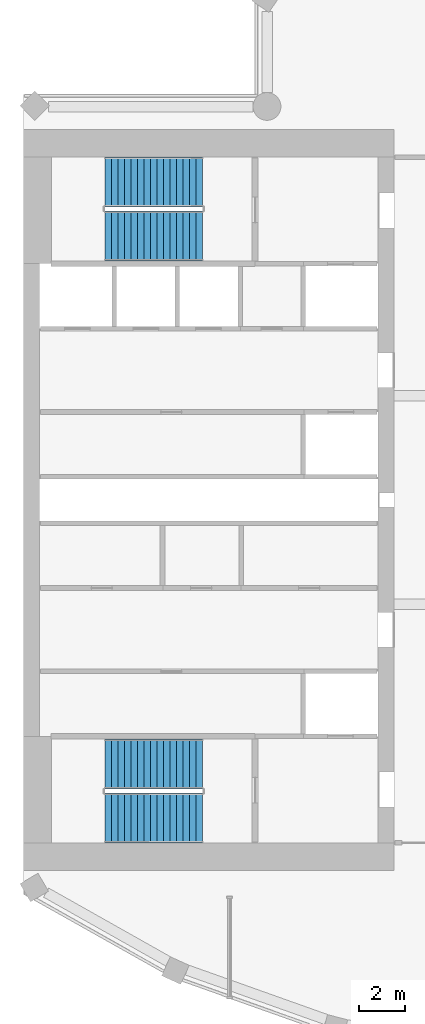
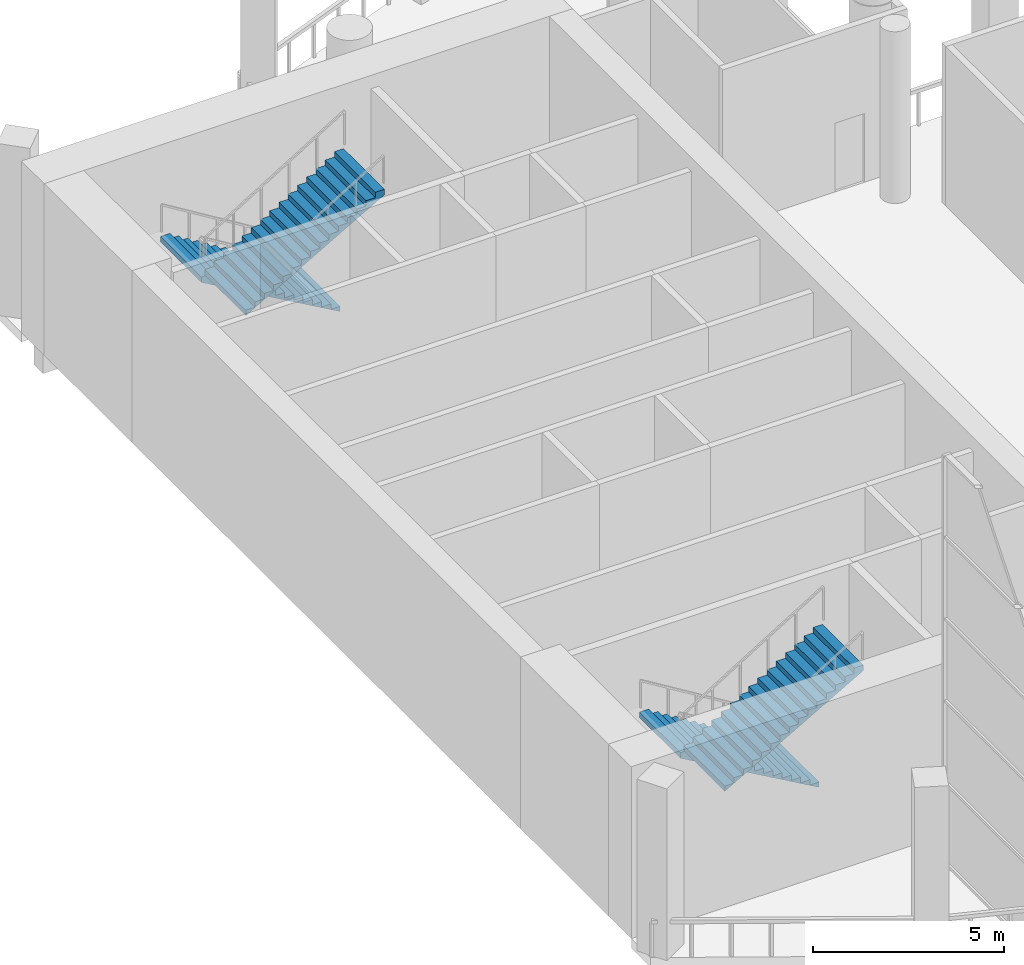
# One storey, part 7 of 12: 4 stair flights, 2 elements without a shape of their own.
"""IFC4 building model written with IfcOpenShell, lengths in metres."""

import ifcopenshell
import ifcopenshell.guid

model = None  # the IFC model being written
_history = None  # IfcOwnerHistory: only IFC2X3 demands one
_inside = {}  # id of a spatial element -> (the spatial element, [elements in it])
_under = {}  # id of a project, library or spatial element -> (it, [spatial elements below it])
_declared = {}  # id of a project -> (the project, [libraries it declares])
_typed = {}  # id of a type object -> (the type object, [elements of that type])
_made_of = {}  # id of a material, layer set ... -> (it, [elements and type objects made of it])


def new_model(schema):
    """Start an empty IFC model of exactly this schema.

    Asked for "IFC4X3", IfcOpenShell would pick the latest addendum, in which some entities
    have other attributes; the version numbers below select the first issue.
    IFC2X3 requires an IfcOwnerHistory on every rooted entity: one is made here for all.
    """
    global model, _history
    if schema == "IFC4X3":
        model = ifcopenshell.file(schema_version=(4, 3, 0, 0))
    else:
        model = ifcopenshell.file(schema=schema)
    _inside.clear()
    _under.clear()
    _declared.clear()
    _typed.clear()
    _made_of.clear()
    _history = None
    if model.schema == "IFC2X3":
        org = make("IfcOrganization", Name="unknown")
        user = make(
            "IfcPersonAndOrganization",
            ThePerson=make("IfcPerson", FamilyName="unknown"),
            TheOrganization=org,
        )
        app = make(
            "IfcApplication",
            ApplicationDeveloper=org,
            Version="unknown",
            ApplicationFullName="unknown",
            ApplicationIdentifier="unknown",
        )
        _history = make(
            "IfcOwnerHistory",
            OwningUser=user,
            OwningApplication=app,
            ChangeAction="ADDED",
            CreationDate=0,
        )
    return model


def make(cls, **values):
    """One entity of the class cls with the attributes given. An attribute that is None is left unset."""
    return model.create_entity(
        cls, **{name: value for name, value in values.items() if value is not None}
    )


def rooted(cls, **values):
    """An entity with a GlobalId (a new one), such as an element, a storey or a relation."""
    return make(cls, GlobalId=ifcopenshell.guid.new(), OwnerHistory=_history, **values)


def si_unit(unit_type, name, prefix=None):
    """IfcSIUnit, for example si_unit("LENGTHUNIT", "METRE", prefix="MILLI")."""
    return make("IfcSIUnit", UnitType=unit_type, Prefix=prefix, Name=name)


def assignment(units):
    """IfcUnitAssignment: the units of a project."""
    return None if units is None else make("IfcUnitAssignment", Units=units)


def point(xyz):
    """IfcCartesianPoint."""
    return None if xyz is None else make("IfcCartesianPoint", Coordinates=xyz)


def direction(xyz):
    """IfcDirection."""
    return None if xyz is None else make("IfcDirection", DirectionRatios=xyz)


def frame(location, z_axis=None, x_axis=None):
    """IfcAxis2Placement3D, a coordinate frame: its origin and axes. An axis left out is left unset."""
    return make(
        "IfcAxis2Placement3D",
        Location=point(location),
        Axis=direction(z_axis),
        RefDirection=direction(x_axis),
    )


def origin():
    """The frame at (0, 0, 0) with its axes left unset."""
    return frame((0.0, 0.0, 0.0))


def place(relative_to, where):
    """IfcLocalPlacement: puts the frame where relative to a parent placement (None: the world)."""
    return make(
        "IfcLocalPlacement", PlacementRelTo=relative_to, RelativePlacement=where
    )


def context(
    kind, dimensions, precision=None, world=None, true_north=None, identifier=None
):
    """IfcGeometricRepresentationContext, for example the 3D "Model" context."""
    return make(
        "IfcGeometricRepresentationContext",
        ContextIdentifier=identifier,
        ContextType=kind,
        CoordinateSpaceDimension=dimensions,
        Precision=precision,
        WorldCoordinateSystem=world,
        TrueNorth=true_north,
    )


def subcontext(parent, identifier, kind, view, scale=None):
    """IfcGeometricRepresentationSubContext, for example "Body" below "Model"."""
    return make(
        "IfcGeometricRepresentationSubContext",
        ContextIdentifier=identifier,
        ContextType=kind,
        ParentContext=parent,
        TargetScale=scale,
        TargetView=view,
    )


def project(units=None, contexts=None):
    """IfcProject with its units and contexts."""
    return rooted(
        "IfcProject",
        Name="project",
        RepresentationContexts=contexts,
        UnitsInContext=assignment(units),
    )


def spatial(cls, under=None, at=None, **own):
    """A site, building, storey or space (cls), placed at a placement, below another one or the project."""
    s = rooted(cls, ObjectPlacement=at, **own)
    if under is not None:
        _under.setdefault(under.id(), (under, []))[1].append(s)
    return s


def point_list(points):
    """IfcCartesianPointList2D or 3D."""
    cls = (
        "IfcCartesianPointList2D" if len(points[0]) == 2 else "IfcCartesianPointList3D"
    )
    return make(cls, CoordList=points)


def triangles(points, corners, closed=None, point_numbers=None):
    """IfcTriangulatedFaceSet: each triangle names its three corners, points numbered from 1."""
    return make(
        "IfcTriangulatedFaceSet",
        Coordinates=point_list(points),
        Closed=closed,
        CoordIndex=corners,
        PnIndex=point_numbers,
    )


def shape(context_of_items, identifier, shape_type, items):
    """IfcShapeRepresentation: the items that make up one representation, for example the "Body"."""
    return make(
        "IfcShapeRepresentation",
        ContextOfItems=context_of_items,
        RepresentationIdentifier=identifier,
        RepresentationType=shape_type,
        Items=items,
    )


def material(Name=None, Category=None):
    """IfcMaterial."""
    return make("IfcMaterial", Name=Name, Category=Category)


def made_of(thing, what):
    """Note that an element or type object is made of a material, layer set ...; save() writes the relation."""
    if what is not None:
        _made_of.setdefault(what.id(), (what, []))[1].append(thing)
    return thing


def type_object(cls, material=None, **own):
    """A type object (cls), such as IfcWallType, which elements share."""
    return made_of(rooted(cls, **own), material)


def element(
    cls,
    number,
    at=None,
    inside=None,
    cuts=None,
    type_object=None,
    material=None,
    context=None,
    identifier="Body",
    shape_type=None,
    held_by="IfcProductDefinitionShape",
    body=None,
    shapes=None,
    **own,
):
    """One element of the class cls, such as IfcWall. Its Tag is "e" and its number.

    at: its placement. inside: the storey or other place that contains it. cuts: it is an
    opening in that element (IfcRelVoidsElement). A single representation is given by context,
    identifier, shape_type and body (its items); several are given by shapes. held_by: the class
    of the entity that holds the representations. save() writes the other relations.
    """
    e = rooted(cls, Tag="e%d" % number, ObjectPlacement=at, **own)
    if body is not None:
        shapes = [shape(context, identifier, shape_type, body)]
    if shapes is not None:
        e.Representation = make(held_by, Representations=shapes)
    if inside is not None:
        _inside.setdefault(inside.id(), (inside, []))[1].append(e)
    if cuts is not None:
        rooted(
            "IfcRelVoidsElement", RelatingBuildingElement=cuts, RelatedOpeningElement=e
        )
    if type_object is not None:
        _typed.setdefault(type_object.id(), (type_object, []))[1].append(e)
    return made_of(e, material)


def aggregate(whole, parts):
    """IfcRelAggregates: a whole, such as a stair, and the parts it consists of."""
    return rooted("IfcRelAggregates", RelatingObject=whole, RelatedObjects=parts)


def save(model, path):
    """Write the relations noted so far, then the file.

    IfcRelAggregates (storeys below a building ...), IfcRelContainedInSpatialStructure (elements
    in a storey), IfcRelDefinesByType, IfcRelAssociatesMaterial and IfcRelDeclares: one each for
    every whole, place, type object, material and project.
    """
    for whole, parts in _under.values():
        aggregate(whole, parts)
    for where, things in _inside.values():
        rooted(
            "IfcRelContainedInSpatialStructure",
            RelatedElements=things,
            RelatingStructure=where,
        )
    for kind, things in _typed.values():
        rooted("IfcRelDefinesByType", RelatedObjects=things, RelatingType=kind)
    for what, things in _made_of.values():
        rooted("IfcRelAssociatesMaterial", RelatedObjects=things, RelatingMaterial=what)
    for by, libraries in _declared.values():
        rooted("IfcRelDeclares", RelatingContext=by, RelatedDefinitions=libraries)
    model.write(path)


model = new_model("IFC4")

# Units and contexts
model_context = context("Model", 3, precision=1e-05, world=origin(), true_north=direction((0.0, 1.0)))
body_context = subcontext(model_context, "Body", "Model", "MODEL_VIEW")
ifc_project = project(units=[si_unit("LENGTHUNIT", "METRE"), si_unit("AREAUNIT", "SQUARE_METRE"), si_unit("VOLUMEUNIT", "CUBIC_METRE"), si_unit("PLANEANGLEUNIT", "RADIAN"), si_unit("MASSUNIT", "GRAM", prefix="KILO")], contexts=[model_context])

# Site, building, storey
site_placement = place(None, origin())
site = spatial("IfcSite", under=ifc_project, at=site_placement, CompositionType="ELEMENT")
building_placement = place(site_placement, origin())
building = spatial("IfcBuilding", under=site, at=building_placement, Name="Cypress Arch Tower", CompositionType="ELEMENT")
storey_placement = place(building_placement, frame((0.0, 0.0, 329.5)))
storey = spatial("IfcBuildingStorey", under=building, at=storey_placement, Name="L75", CompositionType="ELEMENT", Elevation=329.5)

# Stair, stair flights
ifc_material_1 = material(Name="Concrete C40/50", Category="concrete")
stair_type = type_object("IfcStairType", Name="Exit stair ES1719-215", PredefinedType="HALF_TURN_STAIR", material=ifc_material_1)
stair_1_placement = place(storey_placement, origin())
stair_1 = element("IfcStair", 1, at=stair_1_placement, inside=storey, type_object=stair_type, Name="L75 Exit stair A", PredefinedType="HALF_TURN_STAIR")
ifc_material_2 = material(Name="Concrete C40/50", Category="concrete")
stair_flight_type = type_object("IfcStairFlightType", Name="Exit stair flight ES1719-215", PredefinedType="STRAIGHT", material=ifc_material_2)
stair_flight_1_placement = place(storey_placement, frame((-22.27490234375, -11.39990234375, 0.0), z_axis=(0.0, 0.0, 1.0), x_axis=(-1.0, 0.0, 0.0)))
stair_flight_1 = element("IfcStairFlight", 2, at=stair_flight_1_placement, type_object=stair_flight_type, Name="A flight 1", NumberOfRisers=16, NumberOfTreads=15, PredefinedType="STRAIGHT", RiserHeight=0.171875, TreadLength=0.28, context=body_context, shape_type="Tessellation", body=[
    triangles([(0.0, -1.074951171875, 0.0), (0.0, -1.074951171875, 0.171875), (0.280029296875, -1.074951171875, 0.171875), (0.280029296875, -1.074951171875, 0.34375), (0.56005859375, -1.074951171875, 0.34375), (0.56005859375, -1.074951171875, 0.515625), (0.840087890625, -1.074951171875, 0.515625), (0.840087890625, -1.074951171875, 0.6875), (1.1201171875, -1.074951171875, 0.6875), (1.1201171875, -1.074951171875, 0.859375), (1.39990234375, -1.074951171875, 0.859375), (1.39990234375, -1.074951171875, 1.03125), (1.679931640625, -1.074951171875, 1.03125), (1.679931640625, -1.074951171875, 1.203125), (1.9599609375, -1.074951171875, 1.203125), (1.9599609375, -1.074951171875, 1.375), (2.239990234375, -1.074951171875, 1.375), (2.239990234375, -1.074951171875, 1.546875), (2.52001953125, -1.074951171875, 1.546875), (2.52001953125, -1.074951171875, 1.71875), (2.800048828125, -1.074951171875, 1.71875), (2.800048828125, -1.074951171875, 1.890625), (3.080078125, -1.074951171875, 1.890625), (3.080078125, -1.074951171875, 2.0625), (3.360107421875, -1.074951171875, 2.0625), (3.360107421875, -1.074951171875, 2.234375), (3.639892578125, -1.074951171875, 2.234375), (3.639892578125, -1.074951171875, 2.40625), (3.919921875, -1.074951171875, 2.40625), (3.919921875, -1.074951171875, 2.578125), (4.199951171875, -1.074951171875, 2.578125), (4.199951171875, -1.074951171875, 2.40234375), (4.199951171875, 1.074951171875, 2.40234375), (4.199951171875, 1.074951171875, 2.578125), (3.919921875, 1.074951171875, 2.578125), (3.919921875, 1.074951171875, 2.40625), (3.639892578125, 1.074951171875, 2.40625), (3.639892578125, 1.074951171875, 2.234375), (3.360107421875, 1.074951171875, 2.234375), (3.360107421875, 1.074951171875, 2.0625), (3.080078125, 1.074951171875, 2.0625), (3.080078125, 1.074951171875, 1.890625), (2.800048828125, 1.074951171875, 1.890625), (2.800048828125, 1.074951171875, 1.71875), (2.52001953125, 1.074951171875, 1.71875), (2.52001953125, 1.074951171875, 1.546875), (2.239990234375, 1.074951171875, 1.546875), (2.239990234375, 1.074951171875, 1.375), (1.9599609375, 1.074951171875, 1.375), (1.9599609375, 1.074951171875, 1.203125), (1.679931640625, 1.074951171875, 1.203125), (1.679931640625, 1.074951171875, 1.03125), (1.39990234375, 1.074951171875, 1.03125), (1.39990234375, 1.074951171875, 0.859375), (1.1201171875, 1.074951171875, 0.859375), (1.1201171875, 1.074951171875, 0.6875), (0.840087890625, 1.074951171875, 0.6875), (0.840087890625, 1.074951171875, 0.515625), (0.56005859375, 1.074951171875, 0.515625), (0.56005859375, 1.074951171875, 0.34375), (0.280029296875, 1.074951171875, 0.34375), (0.280029296875, 1.074951171875, 0.171875), (0.0, 1.074951171875, 0.171875), (0.0, 1.074951171875, 0.0)], [[32, 31, 30], [27, 26, 25], [11, 10, 9], [29, 28, 27], [25, 24, 23], [23, 22, 21], [21, 20, 19], [19, 18, 17], [17, 16, 15], [15, 14, 13], [13, 12, 11], [9, 8, 7], [7, 6, 5], [5, 4, 3], [3, 2, 1], [32, 30, 29], [32, 29, 27], [32, 27, 25], [32, 25, 23], [32, 23, 21], [32, 21, 19], [32, 19, 17], [32, 17, 15], [32, 15, 13], [32, 13, 11], [32, 11, 9], [32, 9, 7], [32, 7, 5], [32, 5, 3], [32, 3, 1], [33, 35, 34], [38, 40, 39], [54, 56, 55], [36, 38, 37], [40, 42, 41], [42, 44, 43], [44, 46, 45], [46, 48, 47], [48, 50, 49], [50, 52, 51], [52, 54, 53], [56, 58, 57], [58, 60, 59], [60, 62, 61], [62, 64, 63], [33, 36, 35], [33, 38, 36], [33, 40, 38], [33, 42, 40], [33, 44, 42], [33, 46, 44], [33, 48, 46], [33, 50, 48], [33, 52, 50], [33, 54, 52], [33, 56, 54], [33, 58, 56], [33, 60, 58], [33, 62, 60], [33, 64, 62], [33, 34, 31], [33, 31, 32], [34, 35, 30], [34, 30, 31], [35, 36, 29], [35, 29, 30], [36, 37, 28], [36, 28, 29], [37, 38, 27], [37, 27, 28], [38, 39, 26], [38, 26, 27], [39, 40, 25], [39, 25, 26], [40, 41, 24], [40, 24, 25], [41, 42, 23], [41, 23, 24], [42, 43, 22], [42, 22, 23], [43, 44, 21], [43, 21, 22], [44, 45, 20], [44, 20, 21], [45, 46, 19], [45, 19, 20], [46, 47, 18], [46, 18, 19], [47, 48, 17], [47, 17, 18], [48, 49, 16], [48, 16, 17], [49, 50, 15], [49, 15, 16], [50, 51, 14], [50, 14, 15], [51, 52, 13], [51, 13, 14], [52, 53, 12], [52, 12, 13], [53, 54, 11], [53, 11, 12], [54, 55, 10], [54, 10, 11], [55, 56, 9], [55, 9, 10], [56, 57, 8], [56, 8, 9], [57, 58, 7], [57, 7, 8], [58, 59, 6], [58, 6, 7], [59, 60, 5], [59, 5, 6], [60, 61, 4], [60, 4, 5], [61, 62, 3], [61, 3, 4], [62, 63, 2], [62, 2, 3], [63, 64, 1], [63, 1, 2], [64, 33, 32], [64, 32, 1]], closed=True),
])
stair_flight_2_placement = place(storey_placement, frame((-26.47509765625, -13.72509765625, 2.75), z_axis=(0.0, 0.0, 1.0), x_axis=(1.0, 0.0, 0.0)))
stair_flight_2 = element("IfcStairFlight", 3, at=stair_flight_2_placement, type_object=stair_flight_type, Name="A flight 2", NumberOfRisers=16, NumberOfTreads=15, PredefinedType="STRAIGHT", RiserHeight=0.171875, TreadLength=0.28, context=body_context, shape_type="Tessellation", body=[
    triangles([(0.0, -1.074951171875, 0.0), (0.0, -1.074951171875, 0.171875), (0.280029296875, -1.074951171875, 0.171875), (0.280029296875, -1.074951171875, 0.34375), (0.56005859375, -1.074951171875, 0.34375), (0.56005859375, -1.074951171875, 0.515625), (0.840087890625, -1.074951171875, 0.515625), (0.840087890625, -1.074951171875, 0.6875), (1.1201171875, -1.074951171875, 0.6875), (1.1201171875, -1.074951171875, 0.859375), (1.39990234375, -1.074951171875, 0.859375), (1.39990234375, -1.074951171875, 1.03125), (1.679931640625, -1.074951171875, 1.03125), (1.679931640625, -1.074951171875, 1.203125), (1.9599609375, -1.074951171875, 1.203125), (1.9599609375, -1.074951171875, 1.375), (2.239990234375, -1.074951171875, 1.375), (2.239990234375, -1.074951171875, 1.546875), (2.52001953125, -1.074951171875, 1.546875), (2.52001953125, -1.074951171875, 1.71875), (2.800048828125, -1.074951171875, 1.71875), (2.800048828125, -1.074951171875, 1.890625), (3.080078125, -1.074951171875, 1.890625), (3.080078125, -1.074951171875, 2.0625), (3.360107421875, -1.074951171875, 2.0625), (3.360107421875, -1.074951171875, 2.234375), (3.639892578125, -1.074951171875, 2.234375), (3.639892578125, -1.074951171875, 2.40625), (3.919921875, -1.074951171875, 2.40625), (3.919921875, -1.074951171875, 2.578125), (4.199951171875, -1.074951171875, 2.578125), (4.199951171875, -1.074951171875, 2.40234375), (4.199951171875, 1.074951171875, 2.40234375), (4.199951171875, 1.074951171875, 2.578125), (3.919921875, 1.074951171875, 2.578125), (3.919921875, 1.074951171875, 2.40625), (3.639892578125, 1.074951171875, 2.40625), (3.639892578125, 1.074951171875, 2.234375), (3.360107421875, 1.074951171875, 2.234375), (3.360107421875, 1.074951171875, 2.0625), (3.080078125, 1.074951171875, 2.0625), (3.080078125, 1.074951171875, 1.890625), (2.800048828125, 1.074951171875, 1.890625), (2.800048828125, 1.074951171875, 1.71875), (2.52001953125, 1.074951171875, 1.71875), (2.52001953125, 1.074951171875, 1.546875), (2.239990234375, 1.074951171875, 1.546875), (2.239990234375, 1.074951171875, 1.375), (1.9599609375, 1.074951171875, 1.375), (1.9599609375, 1.074951171875, 1.203125), (1.679931640625, 1.074951171875, 1.203125), (1.679931640625, 1.074951171875, 1.03125), (1.39990234375, 1.074951171875, 1.03125), (1.39990234375, 1.074951171875, 0.859375), (1.1201171875, 1.074951171875, 0.859375), (1.1201171875, 1.074951171875, 0.6875), (0.840087890625, 1.074951171875, 0.6875), (0.840087890625, 1.074951171875, 0.515625), (0.56005859375, 1.074951171875, 0.515625), (0.56005859375, 1.074951171875, 0.34375), (0.280029296875, 1.074951171875, 0.34375), (0.280029296875, 1.074951171875, 0.171875), (0.0, 1.074951171875, 0.171875), (0.0, 1.074951171875, 0.0)], [[32, 31, 30], [27, 26, 25], [11, 10, 9], [29, 28, 27], [25, 24, 23], [23, 22, 21], [21, 20, 19], [19, 18, 17], [17, 16, 15], [15, 14, 13], [13, 12, 11], [9, 8, 7], [7, 6, 5], [5, 4, 3], [3, 2, 1], [32, 30, 29], [32, 29, 27], [32, 27, 25], [32, 25, 23], [32, 23, 21], [32, 21, 19], [32, 19, 17], [32, 17, 15], [32, 15, 13], [32, 13, 11], [32, 11, 9], [32, 9, 7], [32, 7, 5], [32, 5, 3], [32, 3, 1], [33, 35, 34], [38, 40, 39], [54, 56, 55], [36, 38, 37], [40, 42, 41], [42, 44, 43], [44, 46, 45], [46, 48, 47], [48, 50, 49], [50, 52, 51], [52, 54, 53], [56, 58, 57], [58, 60, 59], [60, 62, 61], [62, 64, 63], [33, 36, 35], [33, 38, 36], [33, 40, 38], [33, 42, 40], [33, 44, 42], [33, 46, 44], [33, 48, 46], [33, 50, 48], [33, 52, 50], [33, 54, 52], [33, 56, 54], [33, 58, 56], [33, 60, 58], [33, 62, 60], [33, 64, 62], [33, 34, 31], [33, 31, 32], [34, 35, 30], [34, 30, 31], [35, 36, 29], [35, 29, 30], [36, 37, 28], [36, 28, 29], [37, 38, 27], [37, 27, 28], [38, 39, 26], [38, 26, 27], [39, 40, 25], [39, 25, 26], [40, 41, 24], [40, 24, 25], [41, 42, 23], [41, 23, 24], [42, 43, 22], [42, 22, 23], [43, 44, 21], [43, 21, 22], [44, 45, 20], [44, 20, 21], [45, 46, 19], [45, 19, 20], [46, 47, 18], [46, 18, 19], [47, 48, 17], [47, 17, 18], [48, 49, 16], [48, 16, 17], [49, 50, 15], [49, 15, 16], [50, 51, 14], [50, 14, 15], [51, 52, 13], [51, 13, 14], [52, 53, 12], [52, 12, 13], [53, 54, 11], [53, 11, 12], [54, 55, 10], [54, 10, 11], [55, 56, 9], [55, 9, 10], [56, 57, 8], [56, 8, 9], [57, 58, 7], [57, 7, 8], [58, 59, 6], [58, 6, 7], [59, 60, 5], [59, 5, 6], [60, 61, 4], [60, 4, 5], [61, 62, 3], [61, 3, 4], [62, 63, 2], [62, 2, 3], [63, 64, 1], [63, 1, 2], [64, 33, 32], [64, 32, 1]], closed=True),
])
aggregate(stair_1, [stair_flight_1, stair_flight_2])

stair_2_placement = place(storey_placement, origin())
stair_2 = element("IfcStair", 4, at=stair_2_placement, inside=storey, type_object=stair_type, Name="L75 Exit stair B", PredefinedType="HALF_TURN_STAIR")
stair_flight_3_placement = place(storey_placement, frame((-22.27490234375, 13.72509765625, 0.0), z_axis=(0.0, 0.0, 1.0), x_axis=(-1.0, 0.0, 0.0)))
stair_flight_3 = element("IfcStairFlight", 5, at=stair_flight_3_placement, type_object=stair_flight_type, Name="B flight 1", NumberOfRisers=16, NumberOfTreads=15, PredefinedType="STRAIGHT", RiserHeight=0.171875, TreadLength=0.28, context=body_context, shape_type="Tessellation", body=[
    triangles([(0.0, -1.074951171875, 0.0), (0.0, -1.074951171875, 0.171875), (0.280029296875, -1.074951171875, 0.171875), (0.280029296875, -1.074951171875, 0.34375), (0.56005859375, -1.074951171875, 0.34375), (0.56005859375, -1.074951171875, 0.515625), (0.840087890625, -1.074951171875, 0.515625), (0.840087890625, -1.074951171875, 0.6875), (1.1201171875, -1.074951171875, 0.6875), (1.1201171875, -1.074951171875, 0.859375), (1.39990234375, -1.074951171875, 0.859375), (1.39990234375, -1.074951171875, 1.03125), (1.679931640625, -1.074951171875, 1.03125), (1.679931640625, -1.074951171875, 1.203125), (1.9599609375, -1.074951171875, 1.203125), (1.9599609375, -1.074951171875, 1.375), (2.239990234375, -1.074951171875, 1.375), (2.239990234375, -1.074951171875, 1.546875), (2.52001953125, -1.074951171875, 1.546875), (2.52001953125, -1.074951171875, 1.71875), (2.800048828125, -1.074951171875, 1.71875), (2.800048828125, -1.074951171875, 1.890625), (3.080078125, -1.074951171875, 1.890625), (3.080078125, -1.074951171875, 2.0625), (3.360107421875, -1.074951171875, 2.0625), (3.360107421875, -1.074951171875, 2.234375), (3.639892578125, -1.074951171875, 2.234375), (3.639892578125, -1.074951171875, 2.40625), (3.919921875, -1.074951171875, 2.40625), (3.919921875, -1.074951171875, 2.578125), (4.199951171875, -1.074951171875, 2.578125), (4.199951171875, -1.074951171875, 2.40234375), (4.199951171875, 1.074951171875, 2.40234375), (4.199951171875, 1.074951171875, 2.578125), (3.919921875, 1.074951171875, 2.578125), (3.919921875, 1.074951171875, 2.40625), (3.639892578125, 1.074951171875, 2.40625), (3.639892578125, 1.074951171875, 2.234375), (3.360107421875, 1.074951171875, 2.234375), (3.360107421875, 1.074951171875, 2.0625), (3.080078125, 1.074951171875, 2.0625), (3.080078125, 1.074951171875, 1.890625), (2.800048828125, 1.074951171875, 1.890625), (2.800048828125, 1.074951171875, 1.71875), (2.52001953125, 1.074951171875, 1.71875), (2.52001953125, 1.074951171875, 1.546875), (2.239990234375, 1.074951171875, 1.546875), (2.239990234375, 1.074951171875, 1.375), (1.9599609375, 1.074951171875, 1.375), (1.9599609375, 1.074951171875, 1.203125), (1.679931640625, 1.074951171875, 1.203125), (1.679931640625, 1.074951171875, 1.03125), (1.39990234375, 1.074951171875, 1.03125), (1.39990234375, 1.074951171875, 0.859375), (1.1201171875, 1.074951171875, 0.859375), (1.1201171875, 1.074951171875, 0.6875), (0.840087890625, 1.074951171875, 0.6875), (0.840087890625, 1.074951171875, 0.515625), (0.56005859375, 1.074951171875, 0.515625), (0.56005859375, 1.074951171875, 0.34375), (0.280029296875, 1.074951171875, 0.34375), (0.280029296875, 1.074951171875, 0.171875), (0.0, 1.074951171875, 0.171875), (0.0, 1.074951171875, 0.0)], [[32, 31, 30], [27, 26, 25], [11, 10, 9], [29, 28, 27], [25, 24, 23], [23, 22, 21], [21, 20, 19], [19, 18, 17], [17, 16, 15], [15, 14, 13], [13, 12, 11], [9, 8, 7], [7, 6, 5], [5, 4, 3], [3, 2, 1], [32, 30, 29], [32, 29, 27], [32, 27, 25], [32, 25, 23], [32, 23, 21], [32, 21, 19], [32, 19, 17], [32, 17, 15], [32, 15, 13], [32, 13, 11], [32, 11, 9], [32, 9, 7], [32, 7, 5], [32, 5, 3], [32, 3, 1], [33, 35, 34], [38, 40, 39], [54, 56, 55], [36, 38, 37], [40, 42, 41], [42, 44, 43], [44, 46, 45], [46, 48, 47], [48, 50, 49], [50, 52, 51], [52, 54, 53], [56, 58, 57], [58, 60, 59], [60, 62, 61], [62, 64, 63], [33, 36, 35], [33, 38, 36], [33, 40, 38], [33, 42, 40], [33, 44, 42], [33, 46, 44], [33, 48, 46], [33, 50, 48], [33, 52, 50], [33, 54, 52], [33, 56, 54], [33, 58, 56], [33, 60, 58], [33, 62, 60], [33, 64, 62], [33, 34, 31], [33, 31, 32], [34, 35, 30], [34, 30, 31], [35, 36, 29], [35, 29, 30], [36, 37, 28], [36, 28, 29], [37, 38, 27], [37, 27, 28], [38, 39, 26], [38, 26, 27], [39, 40, 25], [39, 25, 26], [40, 41, 24], [40, 24, 25], [41, 42, 23], [41, 23, 24], [42, 43, 22], [42, 22, 23], [43, 44, 21], [43, 21, 22], [44, 45, 20], [44, 20, 21], [45, 46, 19], [45, 19, 20], [46, 47, 18], [46, 18, 19], [47, 48, 17], [47, 17, 18], [48, 49, 16], [48, 16, 17], [49, 50, 15], [49, 15, 16], [50, 51, 14], [50, 14, 15], [51, 52, 13], [51, 13, 14], [52, 53, 12], [52, 12, 13], [53, 54, 11], [53, 11, 12], [54, 55, 10], [54, 10, 11], [55, 56, 9], [55, 9, 10], [56, 57, 8], [56, 8, 9], [57, 58, 7], [57, 7, 8], [58, 59, 6], [58, 6, 7], [59, 60, 5], [59, 5, 6], [60, 61, 4], [60, 4, 5], [61, 62, 3], [61, 3, 4], [62, 63, 2], [62, 2, 3], [63, 64, 1], [63, 1, 2], [64, 33, 32], [64, 32, 1]], closed=True),
])
stair_flight_4_placement = place(storey_placement, frame((-26.47509765625, 11.39990234375, 2.75), z_axis=(0.0, 0.0, 1.0), x_axis=(1.0, 0.0, 0.0)))
stair_flight_4 = element("IfcStairFlight", 6, at=stair_flight_4_placement, type_object=stair_flight_type, Name="B flight 2", NumberOfRisers=16, NumberOfTreads=15, PredefinedType="STRAIGHT", RiserHeight=0.171875, TreadLength=0.28, context=body_context, shape_type="Tessellation", body=[
    triangles([(0.0, -1.074951171875, 0.0), (0.0, -1.074951171875, 0.171875), (0.280029296875, -1.074951171875, 0.171875), (0.280029296875, -1.074951171875, 0.34375), (0.56005859375, -1.074951171875, 0.34375), (0.56005859375, -1.074951171875, 0.515625), (0.840087890625, -1.074951171875, 0.515625), (0.840087890625, -1.074951171875, 0.6875), (1.1201171875, -1.074951171875, 0.6875), (1.1201171875, -1.074951171875, 0.859375), (1.39990234375, -1.074951171875, 0.859375), (1.39990234375, -1.074951171875, 1.03125), (1.679931640625, -1.074951171875, 1.03125), (1.679931640625, -1.074951171875, 1.203125), (1.9599609375, -1.074951171875, 1.203125), (1.9599609375, -1.074951171875, 1.375), (2.239990234375, -1.074951171875, 1.375), (2.239990234375, -1.074951171875, 1.546875), (2.52001953125, -1.074951171875, 1.546875), (2.52001953125, -1.074951171875, 1.71875), (2.800048828125, -1.074951171875, 1.71875), (2.800048828125, -1.074951171875, 1.890625), (3.080078125, -1.074951171875, 1.890625), (3.080078125, -1.074951171875, 2.0625), (3.360107421875, -1.074951171875, 2.0625), (3.360107421875, -1.074951171875, 2.234375), (3.639892578125, -1.074951171875, 2.234375), (3.639892578125, -1.074951171875, 2.40625), (3.919921875, -1.074951171875, 2.40625), (3.919921875, -1.074951171875, 2.578125), (4.199951171875, -1.074951171875, 2.578125), (4.199951171875, -1.074951171875, 2.40234375), (4.199951171875, 1.074951171875, 2.40234375), (4.199951171875, 1.074951171875, 2.578125), (3.919921875, 1.074951171875, 2.578125), (3.919921875, 1.074951171875, 2.40625), (3.639892578125, 1.074951171875, 2.40625), (3.639892578125, 1.074951171875, 2.234375), (3.360107421875, 1.074951171875, 2.234375), (3.360107421875, 1.074951171875, 2.0625), (3.080078125, 1.074951171875, 2.0625), (3.080078125, 1.074951171875, 1.890625), (2.800048828125, 1.074951171875, 1.890625), (2.800048828125, 1.074951171875, 1.71875), (2.52001953125, 1.074951171875, 1.71875), (2.52001953125, 1.074951171875, 1.546875), (2.239990234375, 1.074951171875, 1.546875), (2.239990234375, 1.074951171875, 1.375), (1.9599609375, 1.074951171875, 1.375), (1.9599609375, 1.074951171875, 1.203125), (1.679931640625, 1.074951171875, 1.203125), (1.679931640625, 1.074951171875, 1.03125), (1.39990234375, 1.074951171875, 1.03125), (1.39990234375, 1.074951171875, 0.859375), (1.1201171875, 1.074951171875, 0.859375), (1.1201171875, 1.074951171875, 0.6875), (0.840087890625, 1.074951171875, 0.6875), (0.840087890625, 1.074951171875, 0.515625), (0.56005859375, 1.074951171875, 0.515625), (0.56005859375, 1.074951171875, 0.34375), (0.280029296875, 1.074951171875, 0.34375), (0.280029296875, 1.074951171875, 0.171875), (0.0, 1.074951171875, 0.171875), (0.0, 1.074951171875, 0.0)], [[32, 31, 30], [27, 26, 25], [11, 10, 9], [29, 28, 27], [25, 24, 23], [23, 22, 21], [21, 20, 19], [19, 18, 17], [17, 16, 15], [15, 14, 13], [13, 12, 11], [9, 8, 7], [7, 6, 5], [5, 4, 3], [3, 2, 1], [32, 30, 29], [32, 29, 27], [32, 27, 25], [32, 25, 23], [32, 23, 21], [32, 21, 19], [32, 19, 17], [32, 17, 15], [32, 15, 13], [32, 13, 11], [32, 11, 9], [32, 9, 7], [32, 7, 5], [32, 5, 3], [32, 3, 1], [33, 35, 34], [38, 40, 39], [54, 56, 55], [36, 38, 37], [40, 42, 41], [42, 44, 43], [44, 46, 45], [46, 48, 47], [48, 50, 49], [50, 52, 51], [52, 54, 53], [56, 58, 57], [58, 60, 59], [60, 62, 61], [62, 64, 63], [33, 36, 35], [33, 38, 36], [33, 40, 38], [33, 42, 40], [33, 44, 42], [33, 46, 44], [33, 48, 46], [33, 50, 48], [33, 52, 50], [33, 54, 52], [33, 56, 54], [33, 58, 56], [33, 60, 58], [33, 62, 60], [33, 64, 62], [33, 34, 31], [33, 31, 32], [34, 35, 30], [34, 30, 31], [35, 36, 29], [35, 29, 30], [36, 37, 28], [36, 28, 29], [37, 38, 27], [37, 27, 28], [38, 39, 26], [38, 26, 27], [39, 40, 25], [39, 25, 26], [40, 41, 24], [40, 24, 25], [41, 42, 23], [41, 23, 24], [42, 43, 22], [42, 22, 23], [43, 44, 21], [43, 21, 22], [44, 45, 20], [44, 20, 21], [45, 46, 19], [45, 19, 20], [46, 47, 18], [46, 18, 19], [47, 48, 17], [47, 17, 18], [48, 49, 16], [48, 16, 17], [49, 50, 15], [49, 15, 16], [50, 51, 14], [50, 14, 15], [51, 52, 13], [51, 13, 14], [52, 53, 12], [52, 12, 13], [53, 54, 11], [53, 11, 12], [54, 55, 10], [54, 10, 11], [55, 56, 9], [55, 9, 10], [56, 57, 8], [56, 8, 9], [57, 58, 7], [57, 7, 8], [58, 59, 6], [58, 6, 7], [59, 60, 5], [59, 5, 6], [60, 61, 4], [60, 4, 5], [61, 62, 3], [61, 3, 4], [62, 63, 2], [62, 2, 3], [63, 64, 1], [63, 1, 2], [64, 33, 32], [64, 32, 1]], closed=True),
])
aggregate(stair_2, [stair_flight_3, stair_flight_4])

save(model, "model.ifc")
